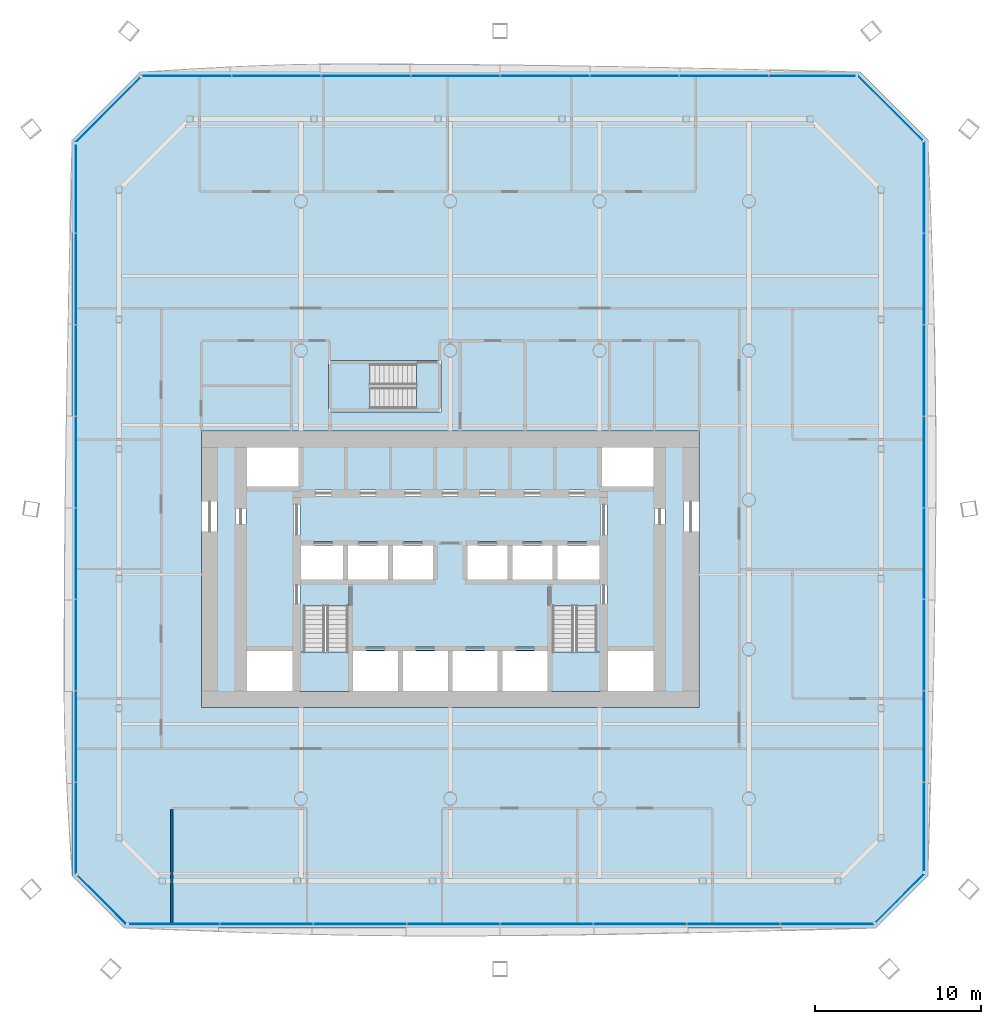
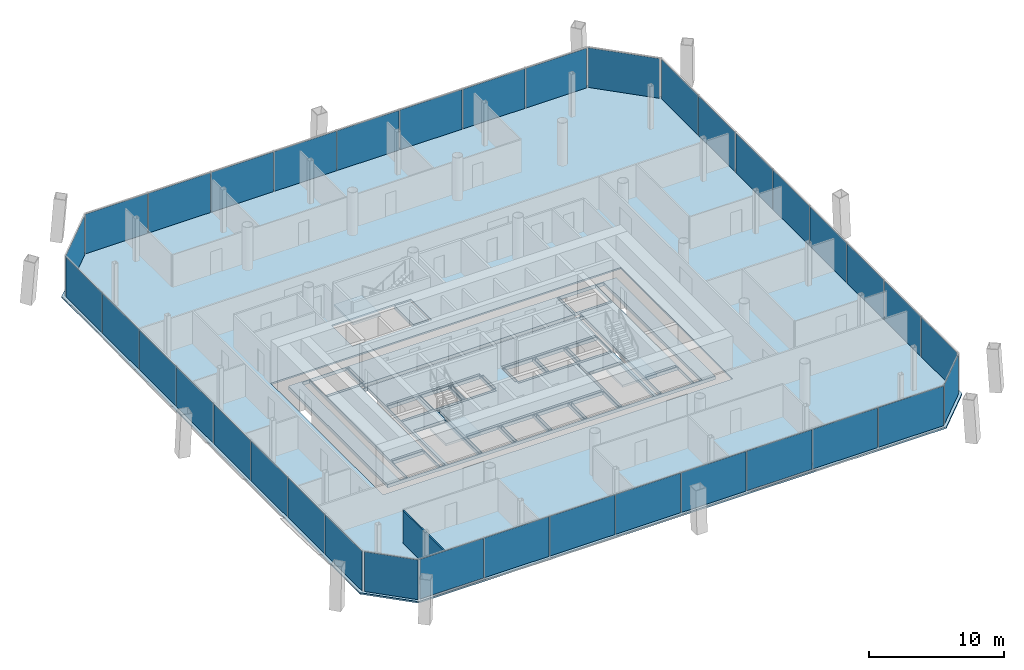
# One storey, part 11 of 20: 36 plates, 6 slabs, 1 wall, 11 elements without a shape of their own.
"""IFC4 building model written with IfcOpenShell, lengths in metres."""

import ifcopenshell
import ifcopenshell.guid

model = None  # the IFC model being written
_history = None  # IfcOwnerHistory: only IFC2X3 demands one
_inside = {}  # id of a spatial element -> (the spatial element, [elements in it])
_under = {}  # id of a project, library or spatial element -> (it, [spatial elements below it])
_declared = {}  # id of a project -> (the project, [libraries it declares])
_typed = {}  # id of a type object -> (the type object, [elements of that type])
_made_of = {}  # id of a material, layer set ... -> (it, [elements and type objects made of it])


def new_model(schema):
    """Start an empty IFC model of exactly this schema.

    Asked for "IFC4X3", IfcOpenShell would pick the latest addendum, in which some entities
    have other attributes; the version numbers below select the first issue.
    IFC2X3 requires an IfcOwnerHistory on every rooted entity: one is made here for all.
    """
    global model, _history
    if schema == "IFC4X3":
        model = ifcopenshell.file(schema_version=(4, 3, 0, 0))
    else:
        model = ifcopenshell.file(schema=schema)
    _inside.clear()
    _under.clear()
    _declared.clear()
    _typed.clear()
    _made_of.clear()
    _history = None
    if model.schema == "IFC2X3":
        org = make("IfcOrganization", Name="unknown")
        user = make(
            "IfcPersonAndOrganization",
            ThePerson=make("IfcPerson", FamilyName="unknown"),
            TheOrganization=org,
        )
        app = make(
            "IfcApplication",
            ApplicationDeveloper=org,
            Version="unknown",
            ApplicationFullName="unknown",
            ApplicationIdentifier="unknown",
        )
        _history = make(
            "IfcOwnerHistory",
            OwningUser=user,
            OwningApplication=app,
            ChangeAction="ADDED",
            CreationDate=0,
        )
    return model


def make(cls, **values):
    """One entity of the class cls with the attributes given. An attribute that is None is left unset."""
    return model.create_entity(
        cls, **{name: value for name, value in values.items() if value is not None}
    )


def rooted(cls, **values):
    """An entity with a GlobalId (a new one), such as an element, a storey or a relation."""
    return make(cls, GlobalId=ifcopenshell.guid.new(), OwnerHistory=_history, **values)


def si_unit(unit_type, name, prefix=None):
    """IfcSIUnit, for example si_unit("LENGTHUNIT", "METRE", prefix="MILLI")."""
    return make("IfcSIUnit", UnitType=unit_type, Prefix=prefix, Name=name)


def assignment(units):
    """IfcUnitAssignment: the units of a project."""
    return None if units is None else make("IfcUnitAssignment", Units=units)


def point(xyz):
    """IfcCartesianPoint."""
    return None if xyz is None else make("IfcCartesianPoint", Coordinates=xyz)


def direction(xyz):
    """IfcDirection."""
    return None if xyz is None else make("IfcDirection", DirectionRatios=xyz)


def frame(location, z_axis=None, x_axis=None):
    """IfcAxis2Placement3D, a coordinate frame: its origin and axes. An axis left out is left unset."""
    return make(
        "IfcAxis2Placement3D",
        Location=point(location),
        Axis=direction(z_axis),
        RefDirection=direction(x_axis),
    )


def frame_2d(location, x_axis=None):
    """IfcAxis2Placement2D, a coordinate frame in the plane: its origin and x axis."""
    return make(
        "IfcAxis2Placement2D", Location=point(location), RefDirection=direction(x_axis)
    )


def origin():
    """The frame at (0, 0, 0) with its axes left unset."""
    return frame((0.0, 0.0, 0.0))


def origin_2d():
    """The frame at (0, 0) in the plane with its x axis left unset."""
    return frame_2d((0.0, 0.0))


def place(relative_to, where):
    """IfcLocalPlacement: puts the frame where relative to a parent placement (None: the world)."""
    return make(
        "IfcLocalPlacement", PlacementRelTo=relative_to, RelativePlacement=where
    )


def context(
    kind, dimensions, precision=None, world=None, true_north=None, identifier=None
):
    """IfcGeometricRepresentationContext, for example the 3D "Model" context."""
    return make(
        "IfcGeometricRepresentationContext",
        ContextIdentifier=identifier,
        ContextType=kind,
        CoordinateSpaceDimension=dimensions,
        Precision=precision,
        WorldCoordinateSystem=world,
        TrueNorth=true_north,
    )


def subcontext(parent, identifier, kind, view, scale=None):
    """IfcGeometricRepresentationSubContext, for example "Body" below "Model"."""
    return make(
        "IfcGeometricRepresentationSubContext",
        ContextIdentifier=identifier,
        ContextType=kind,
        ParentContext=parent,
        TargetScale=scale,
        TargetView=view,
    )


def project(units=None, contexts=None):
    """IfcProject with its units and contexts."""
    return rooted(
        "IfcProject",
        Name="project",
        RepresentationContexts=contexts,
        UnitsInContext=assignment(units),
    )


def spatial(cls, under=None, at=None, **own):
    """A site, building, storey or space (cls), placed at a placement, below another one or the project."""
    s = rooted(cls, ObjectPlacement=at, **own)
    if under is not None:
        _under.setdefault(under.id(), (under, []))[1].append(s)
    return s


def polyline(points):
    """IfcPolyline through the points."""
    return make("IfcPolyline", Points=[point(p) for p in points])


def profile(cls, at=None, kind="AREA", **sizes):
    """A parametric profile (cls). Its sizes go by their IFC names, for example OverallWidth=200.0."""
    return make(cls, ProfileType=kind, Position=at, **sizes)


def rectangle(**sizes):
    """IfcRectangleProfileDef."""
    return profile("IfcRectangleProfileDef", **sizes)


def outline(outer, holes=None, kind="AREA"):
    """IfcArbitraryClosedProfileDef: a profile drawn as a closed curve; with holes, ...WithVoids."""
    if holes is None:
        return make("IfcArbitraryClosedProfileDef", ProfileType=kind, OuterCurve=outer)
    return make(
        "IfcArbitraryProfileDefWithVoids",
        ProfileType=kind,
        OuterCurve=outer,
        InnerCurves=holes,
    )


def extrude(swept, where, along, depth):
    """IfcExtrudedAreaSolid: the profile swept, set in the frame where, extruded along a direction by depth."""
    return make(
        "IfcExtrudedAreaSolid",
        SweptArea=swept,
        Position=where,
        ExtrudedDirection=direction(along),
        Depth=depth,
    )


def shape(context_of_items, identifier, shape_type, items):
    """IfcShapeRepresentation: the items that make up one representation, for example the "Body"."""
    return make(
        "IfcShapeRepresentation",
        ContextOfItems=context_of_items,
        RepresentationIdentifier=identifier,
        RepresentationType=shape_type,
        Items=items,
    )


def material(Name=None, Category=None):
    """IfcMaterial."""
    return make("IfcMaterial", Name=Name, Category=Category)


def layer(
    of_material, thickness, ventilated=None, Name=None, Category=None, Priority=None
):
    """IfcMaterialLayer: one layer of a wall or slab, of a material (None: an air gap)."""
    return make(
        "IfcMaterialLayer",
        Material=of_material,
        LayerThickness=thickness,
        IsVentilated=ventilated,
        Name=Name,
        Category=Category,
        Priority=Priority,
    )


def layer_set(layers, Name=None):
    """IfcMaterialLayerSet."""
    return make("IfcMaterialLayerSet", MaterialLayers=layers, LayerSetName=Name)


def made_of(thing, what):
    """Note that an element or type object is made of a material, layer set ...; save() writes the relation."""
    if what is not None:
        _made_of.setdefault(what.id(), (what, []))[1].append(thing)
    return thing


def type_object(cls, material=None, **own):
    """A type object (cls), such as IfcWallType, which elements share."""
    return made_of(rooted(cls, **own), material)


def element(
    cls,
    number,
    at=None,
    inside=None,
    cuts=None,
    type_object=None,
    material=None,
    context=None,
    identifier="Body",
    shape_type=None,
    held_by="IfcProductDefinitionShape",
    body=None,
    shapes=None,
    **own,
):
    """One element of the class cls, such as IfcWall. Its Tag is "e" and its number.

    at: its placement. inside: the storey or other place that contains it. cuts: it is an
    opening in that element (IfcRelVoidsElement). A single representation is given by context,
    identifier, shape_type and body (its items); several are given by shapes. held_by: the class
    of the entity that holds the representations. save() writes the other relations.
    """
    e = rooted(cls, Tag="e%d" % number, ObjectPlacement=at, **own)
    if body is not None:
        shapes = [shape(context, identifier, shape_type, body)]
    if shapes is not None:
        e.Representation = make(held_by, Representations=shapes)
    if inside is not None:
        _inside.setdefault(inside.id(), (inside, []))[1].append(e)
    if cuts is not None:
        rooted(
            "IfcRelVoidsElement", RelatingBuildingElement=cuts, RelatedOpeningElement=e
        )
    if type_object is not None:
        _typed.setdefault(type_object.id(), (type_object, []))[1].append(e)
    return made_of(e, material)


def aggregate(whole, parts):
    """IfcRelAggregates: a whole, such as a stair, and the parts it consists of."""
    return rooted("IfcRelAggregates", RelatingObject=whole, RelatedObjects=parts)


def save(model, path):
    """Write the relations noted so far, then the file.

    IfcRelAggregates (storeys below a building ...), IfcRelContainedInSpatialStructure (elements
    in a storey), IfcRelDefinesByType, IfcRelAssociatesMaterial and IfcRelDeclares: one each for
    every whole, place, type object, material and project.
    """
    for whole, parts in _under.values():
        aggregate(whole, parts)
    for where, things in _inside.values():
        rooted(
            "IfcRelContainedInSpatialStructure",
            RelatedElements=things,
            RelatingStructure=where,
        )
    for kind, things in _typed.values():
        rooted("IfcRelDefinesByType", RelatedObjects=things, RelatingType=kind)
    for what, things in _made_of.values():
        rooted("IfcRelAssociatesMaterial", RelatedObjects=things, RelatingMaterial=what)
    for by, libraries in _declared.values():
        rooted("IfcRelDeclares", RelatingContext=by, RelatedDefinitions=libraries)
    model.write(path)


model = new_model("IFC4")

# Units and contexts
model_context = context("Model", 3, precision=1e-05, world=origin(), true_north=direction((0.0, 1.0)))
body_context = subcontext(model_context, "Body", "Model", "MODEL_VIEW")
ifc_project = project(units=[si_unit("LENGTHUNIT", "METRE"), si_unit("AREAUNIT", "SQUARE_METRE"), si_unit("VOLUMEUNIT", "CUBIC_METRE"), si_unit("PLANEANGLEUNIT", "RADIAN"), si_unit("MASSUNIT", "GRAM", prefix="KILO")], contexts=[model_context])

# Site, building, storey
site_placement = place(None, origin())
site = spatial("IfcSite", under=ifc_project, at=site_placement, CompositionType="ELEMENT")
building_placement = place(site_placement, origin())
building = spatial("IfcBuilding", under=site, at=building_placement, Name="Tskaro Facet Tower", CompositionType="ELEMENT")
storey_placement = place(building_placement, frame((0.0, 0.0, 69.89990234375)))
storey = spatial("IfcBuildingStorey", under=building, at=storey_placement, Name="L16", CompositionType="ELEMENT", Elevation=69.89990234375)

# Slab
ifc_material_1 = material(Name="Concrete C30/37", Category="concrete")
ifc_layer_1 = layer(ifc_material_1, 0.139892578125, Name="Concrete C30/37")
ifc_layer_set_1 = layer_set([ifc_layer_1], Name="Concrete C30/37")
slab_type_1 = type_object("IfcSlabType", Name="Composite deck floor slab", PredefinedType="FLOOR", material=ifc_layer_set_1)
slab_1_placement = place(storey_placement, frame((0.0, 0.0, -0.139892578125)))
element("IfcSlab", 1, at=slab_1_placement, inside=storey, type_object=slab_type_1, Name="Floor slab FS3 L16", PredefinedType="FLOOR", context=body_context, shape_type="SweptSolid", body=[
    extrude(outline(polyline([(-19.635009765625, -25.80908203125), (25.635009765625, -25.80908203125), (28.80908203125, -22.635009765625), (28.80908203125, 21.677978515625), (24.677978515625, 25.80908203125), (-18.677978515625, 25.80908203125), (-22.80908203125, 21.677978515625), (-22.80908203125, -22.635009765625), (-19.635009765625, -25.80908203125)]), holes=[polyline([(-15.0, -12.5), (15.0, -12.5), (15.0, 4.14990234375), (-15.0, 4.14990234375), (-15.0, -12.5)]), polyline([(-7.35009765625, 5.300048828125), (-0.550048828125, 5.300048828125), (-0.550048828125, 8.39990234375), (-7.35009765625, 8.39990234375), (-7.35009765625, 5.300048828125)])]), origin(), (0.0, 0.0, 1.0), 0.139892578125),
])

# Curtain wall, plates
ifc_material_2 = material(Name="Bronze anodised aluminium 6063-T6", Category="aluminium")
curtain_wall_type = type_object("IfcCurtainWallType", Name="Bronze office curtain wall (FW1)", PredefinedType="NOTDEFINED", material=ifc_material_2)
curtain_wall_1_placement = place(storey_placement, origin())
curtain_wall_1 = element("IfcCurtainWall", 2, at=curtain_wall_1_placement, inside=storey, type_object=curtain_wall_type, Name="FW1 south facet L16", PredefinedType="NOTDEFINED")
ifc_material_3 = material(Name="Bronze tinted glass", Category="glass")
ifc_layer_2 = layer(ifc_material_3, 0.031982421875, Name="Bronze tinted glass")
ifc_layer_set_2 = layer_set([ifc_layer_2], Name="Bronze tinted glass")
plate_type = type_object("IfcPlateType", Name="FW1 bronze-tinted unit glazing 32", PredefinedType="CURTAIN_PANEL", material=ifc_layer_set_2)
plate_1_placement = place(storey_placement, frame((-16.649658203125, -25.55908203125, 0.0), z_axis=(0.0, 0.0, 1.0), x_axis=(1.0, 0.0, 0.0)))
plate_1 = element("IfcPlate", 3, at=plate_1_placement, type_object=plate_type, Name="FW1 south glazing 1.1", PredefinedType="CURTAIN_PANEL", context=body_context, shape_type="SweptSolid", body=[
    extrude(rectangle(XDim=5.44287109375, YDim=0.031982421875, at=origin_2d()), origin(), (0.0, 0.0, 1.0), 3.60009765625),
])
plate_2_placement = place(storey_placement, frame((-11.081787109375, -25.55908203125, 0.0), z_axis=(0.0, 0.0, 1.0), x_axis=(1.0, 0.0, 0.0)))
plate_2 = element("IfcPlate", 4, at=plate_2_placement, type_object=plate_type, Name="FW1 south glazing 2.1", PredefinedType="CURTAIN_PANEL", context=body_context, shape_type="SweptSolid", body=[
    extrude(rectangle(XDim=5.57275390625, YDim=0.031982421875, at=origin_2d()), origin(), (0.0, 0.0, 1.0), 3.60009765625),
])
plate_3_placement = place(storey_placement, frame((-5.44921875, -25.55908203125, 0.0), z_axis=(0.0, 0.0, 1.0), x_axis=(1.0, 0.0, 0.0)))
plate_3 = element("IfcPlate", 5, at=plate_3_placement, type_object=plate_type, Name="FW1 south glazing 3.1", PredefinedType="CURTAIN_PANEL", context=body_context, shape_type="SweptSolid", body=[
    extrude(rectangle(XDim=5.57275390625, YDim=0.031982421875, at=origin_2d()), origin(), (0.0, 0.0, 1.0), 3.60009765625),
])
plate_4_placement = place(storey_placement, frame((0.18359375, -25.55908203125, 0.0), z_axis=(0.0, 0.0, 1.0), x_axis=(1.0, 0.0, 0.0)))
plate_4 = element("IfcPlate", 6, at=plate_4_placement, type_object=plate_type, Name="FW1 south glazing 4.1", PredefinedType="CURTAIN_PANEL", context=body_context, shape_type="SweptSolid", body=[
    extrude(rectangle(XDim=5.57275390625, YDim=0.031982421875, at=origin_2d()), origin(), (0.0, 0.0, 1.0), 3.60009765625),
])
plate_5_placement = place(storey_placement, frame((5.81640625, -25.55908203125, 0.0), z_axis=(0.0, 0.0, 1.0), x_axis=(1.0, 0.0, 0.0)))
plate_5 = element("IfcPlate", 7, at=plate_5_placement, type_object=plate_type, Name="FW1 south glazing 5.1", PredefinedType="CURTAIN_PANEL", context=body_context, shape_type="SweptSolid", body=[
    extrude(rectangle(XDim=5.57275390625, YDim=0.031982421875, at=origin_2d()), origin(), (0.0, 0.0, 1.0), 3.60009765625),
])
plate_6_placement = place(storey_placement, frame((11.44921875, -25.55908203125, 0.0), z_axis=(0.0, 0.0, 1.0), x_axis=(1.0, 0.0, 0.0)))
plate_6 = element("IfcPlate", 8, at=plate_6_placement, type_object=plate_type, Name="FW1 south glazing 6.1", PredefinedType="CURTAIN_PANEL", context=body_context, shape_type="SweptSolid", body=[
    extrude(rectangle(XDim=5.57275390625, YDim=0.031982421875, at=origin_2d()), origin(), (0.0, 0.0, 1.0), 3.60009765625),
])
plate_7_placement = place(storey_placement, frame((17.081787109375, -25.55908203125, 0.0), z_axis=(0.0, 0.0, 1.0), x_axis=(1.0, 0.0, 0.0)))
plate_7 = element("IfcPlate", 9, at=plate_7_placement, type_object=plate_type, Name="FW1 south glazing 7.1", PredefinedType="CURTAIN_PANEL", context=body_context, shape_type="SweptSolid", body=[
    extrude(rectangle(XDim=5.57275390625, YDim=0.031982421875, at=origin_2d()), origin(), (0.0, 0.0, 1.0), 3.60009765625),
])
plate_8_placement = place(storey_placement, frame((22.729736328125, -25.55908203125, 0.0), z_axis=(0.0, 0.0, 1.0), x_axis=(1.0, 0.0, 0.0)))
plate_8 = element("IfcPlate", 10, at=plate_8_placement, type_object=plate_type, Name="FW1 south glazing 8.1", PredefinedType="CURTAIN_PANEL", context=body_context, shape_type="SweptSolid", body=[
    extrude(rectangle(XDim=5.602783203125, YDim=0.031982421875, at=origin_2d()), origin(), (0.0, 0.0, 1.0), 3.60009765625),
])
aggregate(curtain_wall_1, [plate_1, plate_2, plate_3, plate_4, plate_5, plate_6, plate_7, plate_8])

# Curtain wall, plate
curtain_wall_2_placement = place(storey_placement, origin())
curtain_wall_2 = element("IfcCurtainWall", 11, at=curtain_wall_2_placement, inside=storey, type_object=curtain_wall_type, Name="FW1 south-east facet L16", PredefinedType="NOTDEFINED")
plate_9_placement = place(storey_placement, frame((27.1015625, -23.988525390625, 0.0), z_axis=(0.0, 0.0, 1.0), x_axis=(0.707106781187, 0.707106781187, 0.0)))
plate_9 = element("IfcPlate", 12, at=plate_9_placement, type_object=plate_type, Name="FW1 south-east glazing 1.1", PredefinedType="CURTAIN_PANEL", context=body_context, shape_type="SweptSolid", body=[
    extrude(rectangle(XDim=4.122314453125, YDim=0.031982421875, at=origin_2d()), origin(), (0.0, 0.0, 1.0), 3.60009765625),
])
aggregate(curtain_wall_2, [plate_9])

# Curtain wall, plates
curtain_wall_3_placement = place(storey_placement, origin())
curtain_wall_3 = element("IfcCurtainWall", 13, at=curtain_wall_3_placement, inside=storey, type_object=curtain_wall_type, Name="FW1 east facet L16", PredefinedType="NOTDEFINED")
plate_10_placement = place(storey_placement, frame((28.55908203125, -19.70947265625, 0.0), z_axis=(0.0, 0.0, 1.0), x_axis=(0.0, 1.0, 0.0)))
plate_10 = element("IfcPlate", 14, at=plate_10_placement, type_object=plate_type, Name="FW1 east glazing 1.1", PredefinedType="CURTAIN_PANEL", context=body_context, shape_type="SweptSolid", body=[
    extrude(rectangle(XDim=5.3232421875, YDim=0.031982421875, at=origin_2d()), origin(), (0.0, 0.0, 1.0), 3.60009765625),
])
plate_11_placement = place(storey_placement, frame((28.55908203125, -14.26123046875, 0.0), z_axis=(0.0, 0.0, 1.0), x_axis=(0.0, 1.0, 0.0)))
plate_11 = element("IfcPlate", 15, at=plate_11_placement, type_object=plate_type, Name="FW1 east glazing 2.1", PredefinedType="CURTAIN_PANEL", context=body_context, shape_type="SweptSolid", body=[
    extrude(rectangle(XDim=5.453125, YDim=0.031982421875, at=origin_2d()), origin(), (0.0, 0.0, 1.0), 3.60009765625),
])
plate_12_placement = place(storey_placement, frame((28.55908203125, -8.748291015625, 0.0), z_axis=(0.0, 0.0, 1.0), x_axis=(0.0, 1.0, 0.0)))
plate_12 = element("IfcPlate", 16, at=plate_12_placement, type_object=plate_type, Name="FW1 east glazing 3.1", PredefinedType="CURTAIN_PANEL", context=body_context, shape_type="SweptSolid", body=[
    extrude(rectangle(XDim=5.453125, YDim=0.031982421875, at=origin_2d()), origin(), (0.0, 0.0, 1.0), 3.60009765625),
])
plate_13_placement = place(storey_placement, frame((28.55908203125, -3.235107421875, 0.0), z_axis=(0.0, 0.0, 1.0), x_axis=(0.0, 1.0, 0.0)))
plate_13 = element("IfcPlate", 17, at=plate_13_placement, type_object=plate_type, Name="FW1 east glazing 4.1", PredefinedType="CURTAIN_PANEL", context=body_context, shape_type="SweptSolid", body=[
    extrude(rectangle(XDim=5.453125, YDim=0.031982421875, at=origin_2d()), origin(), (0.0, 0.0, 1.0), 3.60009765625),
])
plate_14_placement = place(storey_placement, frame((28.55908203125, 2.278076171875, 0.0), z_axis=(0.0, 0.0, 1.0), x_axis=(0.0, 1.0, 0.0)))
plate_14 = element("IfcPlate", 18, at=plate_14_placement, type_object=plate_type, Name="FW1 east glazing 5.1", PredefinedType="CURTAIN_PANEL", context=body_context, shape_type="SweptSolid", body=[
    extrude(rectangle(XDim=5.453125, YDim=0.031982421875, at=origin_2d()), origin(), (0.0, 0.0, 1.0), 3.60009765625),
])
plate_15_placement = place(storey_placement, frame((28.55908203125, 7.791259765625, 0.0), z_axis=(0.0, 0.0, 1.0), x_axis=(0.0, 1.0, 0.0)))
plate_15 = element("IfcPlate", 19, at=plate_15_placement, type_object=plate_type, Name="FW1 east glazing 6.1", PredefinedType="CURTAIN_PANEL", context=body_context, shape_type="SweptSolid", body=[
    extrude(rectangle(XDim=5.453125, YDim=0.031982421875, at=origin_2d()), origin(), (0.0, 0.0, 1.0), 3.60009765625),
])
plate_16_placement = place(storey_placement, frame((28.55908203125, 13.30419921875, 0.0), z_axis=(0.0, 0.0, 1.0), x_axis=(0.0, 1.0, 0.0)))
plate_16 = element("IfcPlate", 20, at=plate_16_placement, type_object=plate_type, Name="FW1 east glazing 7.1", PredefinedType="CURTAIN_PANEL", context=body_context, shape_type="SweptSolid", body=[
    extrude(rectangle(XDim=5.453125, YDim=0.031982421875, at=origin_2d()), origin(), (0.0, 0.0, 1.0), 3.60009765625),
])
plate_17_placement = place(storey_placement, frame((28.55908203125, 18.83251953125, 0.0), z_axis=(0.0, 0.0, 1.0), x_axis=(0.0, 1.0, 0.0)))
plate_17 = element("IfcPlate", 21, at=plate_17_placement, type_object=plate_type, Name="FW1 east glazing 8.1", PredefinedType="CURTAIN_PANEL", context=body_context, shape_type="SweptSolid", body=[
    extrude(rectangle(XDim=5.483154296875, YDim=0.031982421875, at=origin_2d()), origin(), (0.0, 0.0, 1.0), 3.60009765625),
])
aggregate(curtain_wall_3, [plate_10, plate_11, plate_12, plate_13, plate_14, plate_15, plate_16, plate_17])

# Curtain wall, plate
curtain_wall_4_placement = place(storey_placement, origin())
curtain_wall_4 = element("IfcCurtainWall", 22, at=curtain_wall_4_placement, inside=storey, type_object=curtain_wall_type, Name="FW1 north-east facet L16", PredefinedType="NOTDEFINED")
plate_18_placement = place(storey_placement, frame((26.510009765625, 23.623046875, 0.0), z_axis=(0.0, 0.0, 1.0), x_axis=(-0.707106781187, 0.707106781187, 0.0)))
plate_18 = element("IfcPlate", 23, at=plate_18_placement, type_object=plate_type, Name="FW1 north-east glazing 1.1", PredefinedType="CURTAIN_PANEL", context=body_context, shape_type="SweptSolid", body=[
    extrude(rectangle(XDim=5.4755859375, YDim=0.031982421875, at=origin_2d()), origin(), (0.0, 0.0, 1.0), 3.60009765625),
])
aggregate(curtain_wall_4, [plate_18])

# Curtain wall, plates
curtain_wall_5_placement = place(storey_placement, origin())
curtain_wall_5 = element("IfcCurtainWall", 24, at=curtain_wall_5_placement, inside=storey, type_object=curtain_wall_type, Name="FW1 north facet L16", PredefinedType="NOTDEFINED")
plate_19_placement = place(storey_placement, frame((21.812255859375, 25.55908203125, 0.0), z_axis=(0.0, 0.0, 1.0), x_axis=(-1.0, 0.0, 0.0)))
plate_19 = element("IfcPlate", 25, at=plate_19_placement, type_object=plate_type, Name="FW1 north glazing 1.1", PredefinedType="CURTAIN_PANEL", context=body_context, shape_type="SweptSolid", body=[
    extrude(rectangle(XDim=5.20361328125, YDim=0.031982421875, at=origin_2d()), origin(), (0.0, 0.0, 1.0), 3.60009765625),
])
plate_20_placement = place(storey_placement, frame((16.483642578125, 25.55908203125, 0.0), z_axis=(0.0, 0.0, 1.0), x_axis=(-1.0, 0.0, 0.0)))
plate_20 = element("IfcPlate", 26, at=plate_20_placement, type_object=plate_type, Name="FW1 north glazing 2.1", PredefinedType="CURTAIN_PANEL", context=body_context, shape_type="SweptSolid", body=[
    extrude(rectangle(XDim=5.33349609375, YDim=0.031982421875, at=origin_2d()), origin(), (0.0, 0.0, 1.0), 3.60009765625),
])
plate_21_placement = place(storey_placement, frame((11.09033203125, 25.55908203125, 0.0), z_axis=(0.0, 0.0, 1.0), x_axis=(-1.0, 0.0, 0.0)))
plate_21 = element("IfcPlate", 27, at=plate_21_placement, type_object=plate_type, Name="FW1 north glazing 3.1", PredefinedType="CURTAIN_PANEL", context=body_context, shape_type="SweptSolid", body=[
    extrude(rectangle(XDim=5.33349609375, YDim=0.031982421875, at=origin_2d()), origin(), (0.0, 0.0, 1.0), 3.60009765625),
])
plate_22_placement = place(storey_placement, frame((5.69677734375, 25.55908203125, 0.0), z_axis=(0.0, 0.0, 1.0), x_axis=(-1.0, 0.0, 0.0)))
plate_22 = element("IfcPlate", 28, at=plate_22_placement, type_object=plate_type, Name="FW1 north glazing 4.1", PredefinedType="CURTAIN_PANEL", context=body_context, shape_type="SweptSolid", body=[
    extrude(rectangle(XDim=5.33349609375, YDim=0.031982421875, at=origin_2d()), origin(), (0.0, 0.0, 1.0), 3.60009765625),
])
plate_23_placement = place(storey_placement, frame((0.30322265625, 25.55908203125, 0.0), z_axis=(0.0, 0.0, 1.0), x_axis=(-1.0, 0.0, 0.0)))
plate_23 = element("IfcPlate", 29, at=plate_23_placement, type_object=plate_type, Name="FW1 north glazing 5.1", PredefinedType="CURTAIN_PANEL", context=body_context, shape_type="SweptSolid", body=[
    extrude(rectangle(XDim=5.33349609375, YDim=0.031982421875, at=origin_2d()), origin(), (0.0, 0.0, 1.0), 3.60009765625),
])
plate_24_placement = place(storey_placement, frame((-5.09033203125, 25.55908203125, 0.0), z_axis=(0.0, 0.0, 1.0), x_axis=(-1.0, 0.0, 0.0)))
plate_24 = element("IfcPlate", 30, at=plate_24_placement, type_object=plate_type, Name="FW1 north glazing 6.1", PredefinedType="CURTAIN_PANEL", context=body_context, shape_type="SweptSolid", body=[
    extrude(rectangle(XDim=5.33349609375, YDim=0.031982421875, at=origin_2d()), origin(), (0.0, 0.0, 1.0), 3.60009765625),
])
plate_25_placement = place(storey_placement, frame((-10.483642578125, 25.55908203125, 0.0), z_axis=(0.0, 0.0, 1.0), x_axis=(-1.0, 0.0, 0.0)))
plate_25 = element("IfcPlate", 31, at=plate_25_placement, type_object=plate_type, Name="FW1 north glazing 7.1", PredefinedType="CURTAIN_PANEL", context=body_context, shape_type="SweptSolid", body=[
    extrude(rectangle(XDim=5.33349609375, YDim=0.031982421875, at=origin_2d()), origin(), (0.0, 0.0, 1.0), 3.60009765625),
])
plate_26_placement = place(storey_placement, frame((-15.892333984375, 25.55908203125, 0.0), z_axis=(0.0, 0.0, 1.0), x_axis=(-1.0, 0.0, 0.0)))
plate_26 = element("IfcPlate", 32, at=plate_26_placement, type_object=plate_type, Name="FW1 north glazing 8.1", PredefinedType="CURTAIN_PANEL", context=body_context, shape_type="SweptSolid", body=[
    extrude(rectangle(XDim=5.363525390625, YDim=0.031982421875, at=origin_2d()), origin(), (0.0, 0.0, 1.0), 3.60009765625),
])
aggregate(curtain_wall_5, [plate_19, plate_20, plate_21, plate_22, plate_23, plate_24, plate_25, plate_26])

# Curtain wall, plate
curtain_wall_6_placement = place(storey_placement, origin())
curtain_wall_6 = element("IfcCurtainWall", 33, at=curtain_wall_6_placement, inside=storey, type_object=curtain_wall_type, Name="FW1 north-west facet L16", PredefinedType="NOTDEFINED")
plate_27_placement = place(storey_placement, frame((-20.623046875, 23.510009765625, 0.0), z_axis=(0.0, 0.0, 1.0), x_axis=(-0.707106781187, -0.707106781187, 0.0)))
plate_27 = element("IfcPlate", 34, at=plate_27_placement, type_object=plate_type, Name="FW1 north-west glazing 1.1", PredefinedType="CURTAIN_PANEL", context=body_context, shape_type="SweptSolid", body=[
    extrude(rectangle(XDim=5.4755859375, YDim=0.031982421875, at=origin_2d()), origin(), (0.0, 0.0, 1.0), 3.60009765625),
])
aggregate(curtain_wall_6, [plate_27])

# Curtain wall, plates
curtain_wall_7_placement = place(storey_placement, origin())
curtain_wall_7 = element("IfcCurtainWall", 35, at=curtain_wall_7_placement, inside=storey, type_object=curtain_wall_type, Name="FW1 west facet L16", PredefinedType="NOTDEFINED")
plate_28_placement = place(storey_placement, frame((-22.55908203125, 18.75244140625, 0.0), z_axis=(0.0, 0.0, 1.0), x_axis=(0.0, -1.0, 0.0)))
plate_28 = element("IfcPlate", 36, at=plate_28_placement, type_object=plate_type, Name="FW1 west glazing 1.1", PredefinedType="CURTAIN_PANEL", context=body_context, shape_type="SweptSolid", body=[
    extrude(rectangle(XDim=5.3232421875, YDim=0.031982421875, at=origin_2d()), origin(), (0.0, 0.0, 1.0), 3.60009765625),
])
plate_29_placement = place(storey_placement, frame((-22.55908203125, 13.30419921875, 0.0), z_axis=(0.0, 0.0, 1.0), x_axis=(0.0, -1.0, 0.0)))
plate_29 = element("IfcPlate", 37, at=plate_29_placement, type_object=plate_type, Name="FW1 west glazing 2.1", PredefinedType="CURTAIN_PANEL", context=body_context, shape_type="SweptSolid", body=[
    extrude(rectangle(XDim=5.453125, YDim=0.031982421875, at=origin_2d()), origin(), (0.0, 0.0, 1.0), 3.60009765625),
])
plate_30_placement = place(storey_placement, frame((-22.55908203125, 7.791259765625, 0.0), z_axis=(0.0, 0.0, 1.0), x_axis=(0.0, -1.0, 0.0)))
plate_30 = element("IfcPlate", 38, at=plate_30_placement, type_object=plate_type, Name="FW1 west glazing 3.1", PredefinedType="CURTAIN_PANEL", context=body_context, shape_type="SweptSolid", body=[
    extrude(rectangle(XDim=5.453125, YDim=0.031982421875, at=origin_2d()), origin(), (0.0, 0.0, 1.0), 3.60009765625),
])
plate_31_placement = place(storey_placement, frame((-22.55908203125, 2.278076171875, 0.0), z_axis=(0.0, 0.0, 1.0), x_axis=(0.0, -1.0, 0.0)))
plate_31 = element("IfcPlate", 39, at=plate_31_placement, type_object=plate_type, Name="FW1 west glazing 4.1", PredefinedType="CURTAIN_PANEL", context=body_context, shape_type="SweptSolid", body=[
    extrude(rectangle(XDim=5.453125, YDim=0.031982421875, at=origin_2d()), origin(), (0.0, 0.0, 1.0), 3.60009765625),
])
plate_32_placement = place(storey_placement, frame((-22.55908203125, -3.235107421875, 0.0), z_axis=(0.0, 0.0, 1.0), x_axis=(0.0, -1.0, 0.0)))
plate_32 = element("IfcPlate", 40, at=plate_32_placement, type_object=plate_type, Name="FW1 west glazing 5.1", PredefinedType="CURTAIN_PANEL", context=body_context, shape_type="SweptSolid", body=[
    extrude(rectangle(XDim=5.453125, YDim=0.031982421875, at=origin_2d()), origin(), (0.0, 0.0, 1.0), 3.60009765625),
])
plate_33_placement = place(storey_placement, frame((-22.55908203125, -8.748291015625, 0.0), z_axis=(0.0, 0.0, 1.0), x_axis=(0.0, -1.0, 0.0)))
plate_33 = element("IfcPlate", 41, at=plate_33_placement, type_object=plate_type, Name="FW1 west glazing 6.1", PredefinedType="CURTAIN_PANEL", context=body_context, shape_type="SweptSolid", body=[
    extrude(rectangle(XDim=5.453125, YDim=0.031982421875, at=origin_2d()), origin(), (0.0, 0.0, 1.0), 3.60009765625),
])
plate_34_placement = place(storey_placement, frame((-22.55908203125, -14.26123046875, 0.0), z_axis=(0.0, 0.0, 1.0), x_axis=(0.0, -1.0, 0.0)))
plate_34 = element("IfcPlate", 42, at=plate_34_placement, type_object=plate_type, Name="FW1 west glazing 7.1", PredefinedType="CURTAIN_PANEL", context=body_context, shape_type="SweptSolid", body=[
    extrude(rectangle(XDim=5.453125, YDim=0.031982421875, at=origin_2d()), origin(), (0.0, 0.0, 1.0), 3.60009765625),
])
plate_35_placement = place(storey_placement, frame((-22.55908203125, -19.78955078125, 0.0), z_axis=(0.0, 0.0, 1.0), x_axis=(0.0, -1.0, 0.0)))
plate_35 = element("IfcPlate", 43, at=plate_35_placement, type_object=plate_type, Name="FW1 west glazing 8.1", PredefinedType="CURTAIN_PANEL", context=body_context, shape_type="SweptSolid", body=[
    extrude(rectangle(XDim=5.483154296875, YDim=0.031982421875, at=origin_2d()), origin(), (0.0, 0.0, 1.0), 3.60009765625),
])
aggregate(curtain_wall_7, [plate_28, plate_29, plate_30, plate_31, plate_32, plate_33, plate_34, plate_35])

# Curtain wall, plate
curtain_wall_8_placement = place(storey_placement, origin())
curtain_wall_8 = element("IfcCurtainWall", 44, at=curtain_wall_8_placement, inside=storey, type_object=curtain_wall_type, Name="FW1 south-west facet L16", PredefinedType="NOTDEFINED")
plate_36_placement = place(storey_placement, frame((-20.988525390625, -24.1015625, 0.0), z_axis=(0.0, 0.0, 1.0), x_axis=(0.707106781187, -0.707106781187, 0.0)))
plate_36 = element("IfcPlate", 45, at=plate_36_placement, type_object=plate_type, Name="FW1 south-west glazing 1.1", PredefinedType="CURTAIN_PANEL", context=body_context, shape_type="SweptSolid", body=[
    extrude(rectangle(XDim=4.122314453125, YDim=0.031982421875, at=origin_2d()), origin(), (0.0, 0.0, 1.0), 3.60009765625),
])
aggregate(curtain_wall_8, [plate_36])

# Stair, slab
ifc_material_4 = material(Name="Concrete C40/50", Category="concrete")
stair_type = type_object("IfcStairType", Name="ST-TWR", PredefinedType="HALF_TURN_STAIR", material=ifc_material_4)
stair_1_placement = place(storey_placement, origin())
stair_1 = element("IfcStair", 46, at=stair_1_placement, inside=storey, type_object=stair_type, Name="L16 Exit stair 1", PredefinedType="HALF_TURN_STAIR")
ifc_layer_3 = layer(ifc_material_4, 0.199951171875, Name="Concrete C40/50")
ifc_layer_set_3 = layer_set([ifc_layer_3], Name="Concrete C40/50")
slab_type_2 = type_object("IfcSlabType", Name="SL-LANDING", PredefinedType="LANDING", material=ifc_layer_set_3)
slab_2_placement = place(storey_placement, frame((0.0, 0.0, 1.75)))
slab_2 = element("IfcSlab", 47, at=slab_2_placement, type_object=slab_type_2, Name="ST-1 landing 1", PredefinedType="LANDING", context=body_context, shape_type="SweptSolid", body=[
    extrude(outline(polyline([(-9.050048828125, -11.550048828125), (-6.10009765625, -11.550048828125), (-6.10009765625, -9.175048828125), (-9.050048828125, -9.175048828125), (-9.050048828125, -11.550048828125)])), origin(), (0.0, 0.0, 1.0), 0.2001953125),
])
aggregate(stair_1, [slab_2])

stair_2_placement = place(storey_placement, origin())
stair_2 = element("IfcStair", 48, at=stair_2_placement, inside=storey, type_object=stair_type, Name="L16 Exit stair 2", PredefinedType="HALF_TURN_STAIR")
slab_3_placement = place(storey_placement, frame((0.0, 0.0, 1.75)))
slab_3 = element("IfcSlab", 49, at=slab_3_placement, type_object=slab_type_2, Name="ST-2 landing 1", PredefinedType="LANDING", context=body_context, shape_type="SweptSolid", body=[
    extrude(outline(polyline([(6.10009765625, -11.550048828125), (9.050048828125, -11.550048828125), (9.050048828125, -9.175048828125), (6.10009765625, -9.175048828125), (6.10009765625, -11.550048828125)])), origin(), (0.0, 0.0, 1.0), 0.2001953125),
])
aggregate(stair_2, [slab_3])

stair_3_placement = place(storey_placement, origin())
stair_3 = element("IfcStair", 50, at=stair_3_placement, inside=storey, type_object=stair_type, Name="L16 Exit stair 3", PredefinedType="HALF_TURN_STAIR")
slab_4_placement = place(storey_placement, frame((0.0, 0.0, 1.75)))
slab_4 = element("IfcSlab", 51, at=slab_4_placement, type_object=slab_type_2, Name="ST-3 landing 1", PredefinedType="LANDING", context=body_context, shape_type="SweptSolid", body=[
    extrude(outline(polyline([(-7.199951171875, 5.449951171875), (-4.824951171875, 5.449951171875), (-4.824951171875, 8.25), (-7.199951171875, 8.25), (-7.199951171875, 5.449951171875)])), origin(), (0.0, 0.0, 1.0), 0.2001953125),
])
aggregate(stair_3, [slab_4])

# Slabs
ifc_material_5 = material(Name="Concrete C60/75", Category="concrete")
ifc_layer_4 = layer(ifc_material_5, 0.300048828125, Name="Concrete C60/75")
ifc_layer_set_4 = layer_set([ifc_layer_4], Name="Concrete C60/75")
slab_type_3 = type_object("IfcSlabType", Name="SLAB-CORE", PredefinedType="FLOOR", material=ifc_layer_set_4)
slab_5_placement = place(storey_placement, frame((0.0, 0.0, -0.2998046875)))
element("IfcSlab", 52, at=slab_5_placement, inside=storey, type_object=slab_type_3, Name="Core floor slab 1", PredefinedType="FLOOR", context=body_context, shape_type="SweptSolid", body=[
    extrude(outline(polyline([(-14.050048828125, 3.199951171875), (14.050048828125, 3.199951171875), (14.050048828125, 3.10009765625), (14.050048828125, -11.449951171875), (14.050048828125, -11.550048828125), (-14.050048828125, -11.550048828125), (-14.050048828125, -11.449951171875), (-14.050048828125, 3.10009765625), (-14.050048828125, 3.199951171875)]), holes=[polyline([(-9.5, -9.10009765625), (-12.25, -9.10009765625), (-12.25, -11.5), (-9.5, -11.5), (-9.5, -9.10009765625)]), polyline([(-3.14990234375, -9.10009765625), (-5.85009765625, -9.10009765625), (-5.85009765625, -11.5), (-3.14990234375, -11.5), (-3.14990234375, -9.10009765625)]), polyline([(-12.199951171875, -8.85009765625), (-12.199951171875, -9.050048828125), (-9.550048828125, -9.050048828125), (-9.550048828125, -8.85009765625), (-12.199951171875, -8.85009765625)]), polyline([(-6.10009765625, -11.449951171875), (-5.89990234375, -11.449951171875), (-5.89990234375, -5.14990234375), (-6.10009765625, -5.14990234375), (-6.10009765625, -11.449951171875)]), polyline([(-9.449951171875, 0.10009765625), (-9.449951171875, -11.449951171875), (-9.050048828125, -11.449951171875), (-9.050048828125, 0.10009765625), (-9.449951171875, 0.10009765625)]), polyline([(-8.949951171875, -4.85009765625), (-8.949951171875, -5.050048828125), (-0.949951171875, -5.050048828125), (-0.949951171875, -4.85009765625), (-8.949951171875, -4.85009765625)]), polyline([(-12.949951171875, -11.449951171875), (-12.300048828125, -11.449951171875), (-12.300048828125, 3.10009765625), (-12.949951171875, 3.10009765625), (-12.949951171875, -11.449951171875)]), polyline([(-6.449951171875, -4.800048828125), (-6.449951171875, -2.75), (-9.0, -2.75), (-9.0, -4.800048828125), (-6.449951171875, -4.800048828125)]), polyline([(-3.75, -2.75), (-6.14990234375, -2.75), (-6.14990234375, -4.800048828125), (-3.75, -4.800048828125), (-3.75, -2.75)]), polyline([(-6.39990234375, -2.800048828125), (-6.39990234375, -4.75), (-6.199951171875, -4.75), (-6.199951171875, -2.800048828125), (-6.39990234375, -2.800048828125)]), polyline([(-8.949951171875, -2.5), (-8.949951171875, -2.699951171875), (-0.949951171875, -2.699951171875), (-0.949951171875, -2.5), (-8.949951171875, -2.5)]), polyline([(9.449951171875, 0.550048828125), (12.199951171875, 0.550048828125), (12.199951171875, 0.75), (9.050048828125, 0.75), (9.050048828125, 0.60009765625), (-9.050048828125, 0.60009765625), (-9.050048828125, 0.75), (-12.199951171875, 0.75), (-12.199951171875, 0.550048828125), (-9.449951171875, 0.550048828125), (-9.449951171875, 0.199951171875), (9.449951171875, 0.199951171875), (9.449951171875, 0.550048828125)]), polyline([(-9.10009765625, 3.10009765625), (-9.10009765625, 0.85009765625), (-8.89990234375, 0.85009765625), (-8.89990234375, 3.10009765625), (-9.10009765625, 3.10009765625)]), polyline([(-9.14990234375, 0.800048828125), (-9.14990234375, 3.14990234375), (-12.25, 3.14990234375), (-12.25, 0.800048828125), (-9.14990234375, 0.800048828125)]), polyline([(2.89990234375, -11.449951171875), (3.10009765625, -11.449951171875), (3.10009765625, -9.14990234375), (2.89990234375, -9.14990234375), (2.89990234375, -11.449951171875)]), polyline([(-3.10009765625, -9.14990234375), (-3.10009765625, -11.449951171875), (-2.89990234375, -11.449951171875), (-2.89990234375, -9.14990234375), (-3.10009765625, -9.14990234375)]), polyline([(2.85009765625, -9.10009765625), (0.14990234375, -9.10009765625), (0.14990234375, -11.5), (2.85009765625, -11.5), (2.85009765625, -9.10009765625)]), polyline([(-0.14990234375, -9.10009765625), (-2.85009765625, -9.10009765625), (-2.85009765625, -11.5), (-0.14990234375, -11.5), (-0.14990234375, -9.10009765625)]), polyline([(-0.10009765625, -9.14990234375), (-0.10009765625, -11.449951171875), (0.10009765625, -11.449951171875), (0.10009765625, -9.14990234375), (-0.10009765625, -9.14990234375)]), polyline([(-5.800048828125, -8.85009765625), (-5.800048828125, -9.050048828125), (5.800048828125, -9.050048828125), (5.800048828125, -8.85009765625), (-5.800048828125, -8.85009765625)]), polyline([(-1.0, -2.800048828125), (-1.0, -4.75), (-0.800048828125, -4.75), (-0.800048828125, -2.800048828125), (-1.0, -2.800048828125)]), polyline([(0.800048828125, -4.75), (1.0, -4.75), (1.0, -2.800048828125), (0.800048828125, -2.800048828125), (0.800048828125, -4.75)]), polyline([(-1.050048828125, -4.800048828125), (-1.050048828125, -2.75), (-3.449951171875, -2.75), (-3.449951171875, -4.800048828125), (-1.050048828125, -4.800048828125)]), polyline([(1.050048828125, -2.75), (1.050048828125, -4.800048828125), (3.449951171875, -4.800048828125), (3.449951171875, -2.75), (1.050048828125, -2.75)]), polyline([(-3.699951171875, -4.75), (-3.5, -4.75), (-3.5, -2.800048828125), (-3.699951171875, -2.800048828125), (-3.699951171875, -4.75)]), polyline([(3.14990234375, -9.10009765625), (3.14990234375, -11.5), (5.85009765625, -11.5), (5.85009765625, -9.10009765625), (3.14990234375, -9.10009765625)]), polyline([(12.25, -11.5), (12.25, -9.10009765625), (9.5, -9.10009765625), (9.5, -11.5), (12.25, -11.5)]), polyline([(9.550048828125, -8.85009765625), (9.550048828125, -9.050048828125), (12.199951171875, -9.050048828125), (12.199951171875, -8.85009765625), (9.550048828125, -8.85009765625)]), polyline([(5.89990234375, -11.449951171875), (6.10009765625, -11.449951171875), (6.10009765625, -5.14990234375), (5.89990234375, -5.14990234375), (5.89990234375, -11.449951171875)]), polyline([(9.050048828125, 0.10009765625), (9.050048828125, -11.449951171875), (9.449951171875, -11.449951171875), (9.449951171875, 0.10009765625), (9.050048828125, 0.10009765625)]), polyline([(0.949951171875, -4.85009765625), (0.949951171875, -5.050048828125), (8.949951171875, -5.050048828125), (8.949951171875, -4.85009765625), (0.949951171875, -4.85009765625)]), polyline([(12.300048828125, -11.449951171875), (12.949951171875, -11.449951171875), (12.949951171875, 3.10009765625), (12.300048828125, 3.10009765625), (12.300048828125, -11.449951171875)]), polyline([(3.5, -2.800048828125), (3.5, -4.75), (3.699951171875, -4.75), (3.699951171875, -2.800048828125), (3.5, -2.800048828125)]), polyline([(6.14990234375, -2.75), (3.75, -2.75), (3.75, -4.800048828125), (6.14990234375, -4.800048828125), (6.14990234375, -2.75)]), polyline([(6.199951171875, -2.800048828125), (6.199951171875, -4.75), (6.39990234375, -4.75), (6.39990234375, -2.800048828125), (6.199951171875, -2.800048828125)]), polyline([(6.449951171875, -2.75), (6.449951171875, -4.800048828125), (9.0, -4.800048828125), (9.0, -2.75), (6.449951171875, -2.75)]), polyline([(0.949951171875, -2.5), (0.949951171875, -2.699951171875), (8.949951171875, -2.699951171875), (8.949951171875, -2.5), (0.949951171875, -2.5)]), polyline([(8.89990234375, 3.10009765625), (8.89990234375, 0.85009765625), (9.10009765625, 0.85009765625), (9.10009765625, 3.10009765625), (8.89990234375, 3.10009765625)]), polyline([(9.14990234375, 0.800048828125), (12.25, 0.800048828125), (12.25, 3.14990234375), (9.14990234375, 3.14990234375), (9.14990234375, 0.800048828125)]), polyline([(-8.85009765625, -11.5), (-6.14990234375, -11.5), (-6.14990234375, -6.39501953125), (-8.85009765625, -6.39501953125), (-8.85009765625, -11.5)]), polyline([(6.14990234375, -6.39501953125), (6.14990234375, -11.5), (8.85009765625, -11.5), (8.85009765625, -6.39501953125), (6.14990234375, -6.39501953125)])]), origin(), (0.0, 0.0, 1.0), 0.2998046875),
])
slab_6_placement = place(storey_placement, frame((0.0, 0.0, -0.2998046875)))
element("IfcSlab", 53, at=slab_6_placement, inside=storey, type_object=slab_type_3, Name="Stair 3 floor landing 1", PredefinedType="FLOOR", context=body_context, shape_type="SweptSolid", body=[
    extrude(outline(polyline([(-2.02490234375, 5.449951171875), (-0.699951171875, 5.449951171875), (-0.699951171875, 8.25), (-2.02490234375, 8.25), (-2.02490234375, 5.449951171875)])), origin(), (0.0, 0.0, 1.0), 0.2998046875),
])

# Wall
ifc_material_6 = material(Name="Gypsum board on steel studs", Category="steel")
ifc_layer_5 = layer(ifc_material_6, 0.125, Name="Gypsum board on steel studs")
ifc_layer_set_5 = layer_set([ifc_layer_5], Name="Gypsum board on steel studs")
wall_type = type_object("IfcWallType", Name="PART", PredefinedType="PARTITIONING", material=ifc_layer_set_5)
wall_placement = place(storey_placement, frame((-16.783935546875, -25.509033203125, 0.0), z_axis=(0.0, 0.0, 1.0), x_axis=(0.0, 1.0, 0.0)))
element("IfcWall", 54, at=wall_placement, inside=storey, type_object=wall_type, Name="Partition W029", PredefinedType="PARTITIONING", context=body_context, shape_type="SweptSolid", body=[
    extrude(rectangle(XDim=6.866455078125, YDim=0.125, at=frame_2d((3.43310546875, 0.0))), origin(), (0.0, 0.0, 1.0), 2.960205078125),
])

save(model, "model.ifc")
